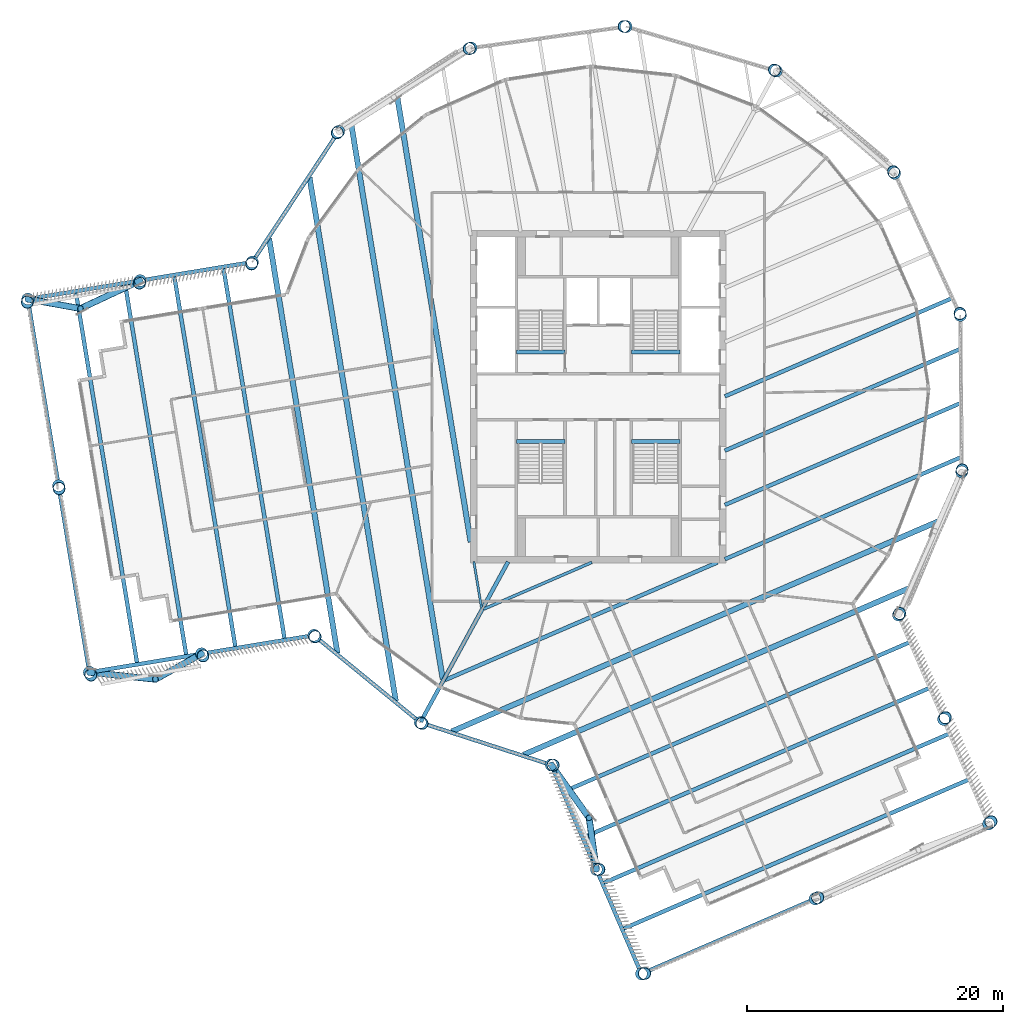
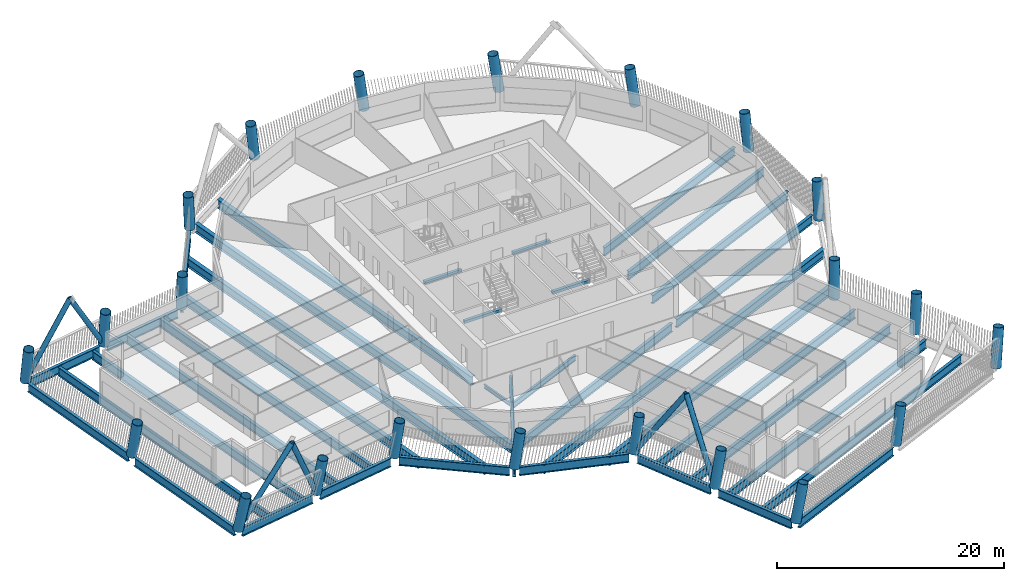
# One storey, part 1 of 23: 38 beams, 22 columns, 6 members.
"""IFC4 building model written with IfcOpenShell, lengths in metres."""

from ifc_helpers import new_model, si_unit, direction, frame, origin, origin_2d, place, context, subcontext, project, spatial, rectangle, hollow_circle, i_section, extrude, material, material_profile, profile_set, type_object, element, save


model = new_model("IFC4")

# Units and contexts
model_context = context("Model", 3, precision=1e-05, world=origin(), true_north=direction((0.0, 1.0)))
body_context = subcontext(model_context, "Body", "Model", "MODEL_VIEW")
ifc_project = project(units=[si_unit("LENGTHUNIT", "METRE"), si_unit("AREAUNIT", "SQUARE_METRE"), si_unit("VOLUMEUNIT", "CUBIC_METRE"), si_unit("PLANEANGLEUNIT", "RADIAN"), si_unit("MASSUNIT", "GRAM", prefix="KILO")], contexts=[model_context])

# Site, building, storey
site_placement = place(None, origin())
site = spatial("IfcSite", under=ifc_project, at=site_placement, CompositionType="ELEMENT")
building_placement = place(site_placement, origin())
building = spatial("IfcBuilding", under=site, at=building_placement, Name="Tarsis Ring Headquarters", CompositionType="ELEMENT")
storey_placement = place(building_placement, frame((0.0, 0.0, 323.60009765625)))
storey = spatial("IfcBuildingStorey", under=building, at=storey_placement, Name="L76", CompositionType="ELEMENT", Elevation=323.60009765625)

# Columns
ifc_material_1 = material(Name="Structural steel S355", Category="steel")
ifc_material_profile_1 = material_profile(ifc_material_1, hollow_circle(Radius=0.482666015625, WallThickness=0.0400390625, at=origin_2d()), Name="CHS 965x40")
ifc_profile_set_1 = profile_set([ifc_material_profile_1], Name="Structural steel S355")
column_type = type_object("IfcColumnType", Name="XC Exo column CHS 965x40", PredefinedType="COLUMN", material=ifc_profile_set_1)
for number, where, z_axis, x_axis, name in (
    (1, (-13.9228515625, -25.494384765625, 0.0009765625), (0.118123827288, -0.063189729994, 0.990986286207), (0.471694142598, 0.881762233167, 0.0), "Exo column XC7 F1"),
    (2, (-3.67578125, -28.81494140625, 0.0009765625), (0.133021406416, -0.015766419613, 0.990987752421), (0.117701562896, 0.993049012935, 0.0), "Exo column XC7 AK"),
):
    element("IfcColumn", number, at=place(storey_placement, frame(where, z_axis=z_axis, x_axis=x_axis)), inside=storey, type_object=column_type, Name=name, PredefinedType="COLUMN", context=body_context, shape_type="SweptSolid", body=[
        extrude(hollow_circle(Radius=0.482666015625, WallThickness=0.0400390625, at=origin_2d()), origin(), (0.0, 0.0, 1.0), 3.93310546875),
    ])
column_1_placement = place(storey_placement, frame((-0.14599609375, -36.987548828125, 0.001220703125), z_axis=(0.169642236267, 0.000864261757, 0.985505334702), x_axis=(-0.005094548151, 0.999987022705, 0.0)))
element("IfcColumn", 3, at=column_1_placement, inside=storey, type_object=column_type, Name="Exo column XC7 AI1", PredefinedType="COLUMN", context=body_context, shape_type="SweptSolid", body=[
    extrude(hollow_circle(Radius=0.482666015625, WallThickness=0.0400390625, at=origin_2d()), origin(), (0.0, 0.0, 1.0), 3.954833984375),
])
column_2_placement = place(storey_placement, frame((3.384033203125, -45.159912109375, 0.00146484375), z_axis=(0.205485565789, 0.017225967776, 0.978508532557), x_axis=(-0.083537530284, 0.996504631717, 0.0)))
element("IfcColumn", 4, at=column_2_placement, inside=storey, type_object=column_type, Name="Exo column XC7 AT1", PredefinedType="COLUMN", context=body_context, shape_type="SweptSolid", body=[
    extrude(hollow_circle(Radius=0.482666015625, WallThickness=0.0400390625, at=origin_2d()), origin(), (0.0, 0.0, 1.0), 3.982666015625),
])
column_3_placement = place(storey_placement, frame((16.970703125, -39.291748046875, 0.00146484375), z_axis=(0.178670447286, 0.079136016542, 0.980721347862), x_axis=(-0.404971220341, 0.914329432259, 0.0)))
element("IfcColumn", 5, at=column_3_placement, inside=storey, type_object=column_type, Name="Exo column XC7 AT2", PredefinedType="COLUMN", context=body_context, shape_type="SweptSolid", body=[
    extrude(hollow_circle(Radius=0.482666015625, WallThickness=0.0400390625, at=origin_2d()), origin(), (0.0, 0.0, 1.0), 3.9736328125),
])
column_4_placement = place(storey_placement, frame((30.5576171875, -33.42333984375, 0.00146484375), z_axis=(0.15092519505, 0.14056517963, 0.9785003913), x_axis=(-0.681544792531, 0.731776397388, 0.0)))
element("IfcColumn", 6, at=column_4_placement, inside=storey, type_object=column_type, Name="Exo column XC7 AT3", PredefinedType="COLUMN", context=body_context, shape_type="SweptSolid", body=[
    extrude(hollow_circle(Radius=0.482666015625, WallThickness=0.0400390625, at=origin_2d()), origin(), (0.0, 0.0, 1.0), 3.982666015625),
])
column_5_placement = place(storey_placement, frame((27.02783203125, -25.250732421875, 0.001220703125), z_axis=(0.114638722373, 0.125009915351, 0.985510266003), x_axis=(-0.737018155471, 0.675872945535, 0.0)))
element("IfcColumn", 7, at=column_5_placement, inside=storey, type_object=column_type, Name="Exo column XC7 AO1", PredefinedType="COLUMN", context=body_context, shape_type="SweptSolid", body=[
    extrude(hollow_circle(Radius=0.482666015625, WallThickness=0.0400390625, at=origin_2d()), origin(), (0.0, 0.0, 1.0), 3.954833984375),
])
for number, where, z_axis, x_axis, name in (
    (8, (23.497802734375, -17.078369140625, 0.0009765625), (0.077776324648, 0.109122728436, 0.990980864327), (-0.81432771012, 0.580405358806, 0.0), "Exo column XC7 AJ"),
    (9, (28.4482421875, -5.874267578125, 0.0009765625), (0.025946340183, 0.131407660687, 0.990988806266), (-0.981058966687, 0.19370932833, 0.0), "Exo column XC7 R1"),
    (10, (28.340576171875, 6.3740234375, 0.0009765625), (-0.030601734651, 0.130414289049, 0.990987208317), (-0.973556760052, -0.228445255929, 0.0), "Exo column XC7 R2"),
    (11, (23.19384765625, 17.489013671875, 0.0009765625), (-0.081686515655, 0.106266956537, 0.990976612796), (-0.792830531834, -0.609442161153, 0.0), "Exo column XC7 R3"),
    (12, (13.9228515625, 25.494384765625, 0.0009765625), (-0.118123827288, 0.063189729994, 0.990986286207), (-0.471694142598, -0.881762233167, 0.0), "Exo column XC7 R4"),
    (13, (2.176513671875, 28.966796875, 0.0009765625), (-0.133642489986, 0.008814321216, 0.99099040995), (-0.065811497644, -0.997832073436, 0.0), "Exo column XC7 R5"),
    (14, (-9.956787109375, 27.288818359375, 0.0009765625), (-0.125448066184, -0.047050783853, 0.990983857805), (0.351174212636, -0.936310136856, 0.0), "Exo column XC7 R6"),
    (15, (-20.31982421875, 20.7587890625, 0.0009765625), (-0.094846735573, -0.094598445689, 0.990986998312), (0.706179429226, -0.708032918541, 0.0), "Exo column XC7 R7"),
    (16, (-27.06982421875, 10.53759765625, 0.0009765625), (-0.047485422968, -0.125262200717, 0.990986637487), (0.935066386957, -0.354472639258, 0.0), "Exo column XC7 BJ"),
):
    element("IfcColumn", number, at=place(storey_placement, frame(where, z_axis=z_axis, x_axis=x_axis)), inside=storey, type_object=column_type, Name=name, PredefinedType="COLUMN", context=body_context, shape_type="SweptSolid", body=[
        extrude(hollow_circle(Radius=0.482666015625, WallThickness=0.0400390625, at=origin_2d()), origin(), (0.0, 0.0, 1.0), 3.93310546875),
    ])
column_6_placement = place(storey_placement, frame((-35.853515625, 9.089599609375, 0.001220703125), z_axis=(-0.040188503891, -0.164766692602, 0.985513480965), x_axis=(0.971518294947, -0.236964559764, 0.0)))
element("IfcColumn", 17, at=column_6_placement, inside=storey, type_object=column_type, Name="Exo column XC7 BO1", PredefinedType="COLUMN", context=body_context, shape_type="SweptSolid", body=[
    extrude(hollow_circle(Radius=0.482666015625, WallThickness=0.0400390625, at=origin_2d()), origin(), (0.0, 0.0, 1.0), 3.954833984375),
])
column_7_placement = place(storey_placement, frame((-44.63720703125, 7.641845703125, 0.00146484375), z_axis=(-0.032980454188, -0.203583807359, 0.978501876862), x_axis=(0.987130852297, -0.159914603594, 0.0)))
element("IfcColumn", 18, at=column_7_placement, inside=storey, type_object=column_type, Name="Exo column XC7 BT3", PredefinedType="COLUMN", context=body_context, shape_type="SweptSolid", body=[
    extrude(hollow_circle(Radius=0.482666015625, WallThickness=0.0400390625, at=origin_2d()), origin(), (0.0, 0.0, 1.0), 3.982666015625),
])
column_8_placement = place(storey_placement, frame((-42.230224609375, -6.961181640625, 0.00146484375), z_axis=(0.03354728783, -0.192436090631, 0.980735912722), x_axis=(0.985142417603, 0.171739386977, 0.0)))
element("IfcColumn", 19, at=column_8_placement, inside=storey, type_object=column_type, Name="Exo column XC7 BT2", PredefinedType="COLUMN", context=body_context, shape_type="SweptSolid", body=[
    extrude(hollow_circle(Radius=0.482666015625, WallThickness=0.0400390625, at=origin_2d()), origin(), (0.0, 0.0, 1.0), 3.9736328125),
])
column_9_placement = place(storey_placement, frame((-39.822998046875, -21.564208984375, 0.00146484375), z_axis=(0.099861566512, -0.180412885355, 0.978508486592), x_axis=(0.874913452046, 0.484279311377, 0.0)))
element("IfcColumn", 20, at=column_9_placement, inside=storey, type_object=column_type, Name="Exo column XC7 BT1", PredefinedType="COLUMN", context=body_context, shape_type="SweptSolid", body=[
    extrude(hollow_circle(Radius=0.482666015625, WallThickness=0.0400390625, at=origin_2d()), origin(), (0.0, 0.0, 1.0), 3.982666015625),
])
column_10_placement = place(storey_placement, frame((-31.039306640625, -20.1162109375, 0.001220703125), z_axis=(0.093526040925, -0.141492861914, 0.98551136457), x_axis=(0.834227688126, 0.551420134167, 0.0)))
element("IfcColumn", 21, at=column_10_placement, inside=storey, type_object=column_type, Name="Exo column XC7 BI1", PredefinedType="COLUMN", context=body_context, shape_type="SweptSolid", body=[
    extrude(hollow_circle(Radius=0.482666015625, WallThickness=0.0400390625, at=origin_2d()), origin(), (0.0, 0.0, 1.0), 3.954833984375),
])
column_11_placement = place(storey_placement, frame((-22.255615234375, -18.668212890625, 0.0009765625), z_axis=(0.087025415626, -0.101860704024, 0.990984850546), x_axis=(0.760302170557, 0.649569557051, 0.0)))
element("IfcColumn", 22, at=column_11_placement, inside=storey, type_object=column_type, Name="Exo column XC7 BK", PredefinedType="COLUMN", context=body_context, shape_type="SweptSolid", body=[
    extrude(hollow_circle(Radius=0.482666015625, WallThickness=0.0400390625, at=origin_2d()), origin(), (0.0, 0.0, 1.0), 3.93310546875),
])

# Beams
ifc_material_profile_2 = material_profile(ifc_material_1, i_section(OverallWidth=0.177734375, OverallDepth=0.406494140625, WebThickness=0.0078125, FlangeThickness=0.0126953125, at=origin_2d()), Name="W16x40")
ifc_profile_set_2 = profile_set([ifc_material_profile_2], Name="Structural steel S355")
beam_type_1 = type_object("IfcBeamType", Name="FB Floor beam W16x40", PredefinedType="JOIST", material=ifc_profile_set_2)
beam_1_placement = place(storey_placement, frame((-9.7314453125, -12.9013671875, -0.36328125), z_axis=(0.162686626676, -0.986677790112, 0.0), x_axis=(0.986677790112, 0.162686626676, 0.0)))
element("IfcBeam", 23, at=beam_1_placement, inside=storey, type_object=beam_type_1, Name="Floor beam FB1", PredefinedType="JOIST", context=body_context, shape_type="SweptSolid", body=[
    extrude(i_section(OverallWidth=0.177734375, OverallDepth=0.406494140625, WebThickness=0.0078125, FlangeThickness=0.0126953125, at=origin_2d()), origin(), (0.0, 0.0, 1.0), 3.6767578125),
])
ifc_material_profile_3 = material_profile(ifc_material_1, i_section(OverallWidth=0.228271484375, OverallDepth=0.607177734375, WebThickness=0.01123046875, FlangeThickness=0.017333984375, at=origin_2d()), Name="W24x76")
ifc_profile_set_3 = profile_set([ifc_material_profile_3], Name="Structural steel S355")
beam_type_2 = type_object("IfcBeamType", Name="FB Floor beam W24x76", PredefinedType="JOIST", material=ifc_profile_set_3)
beam_2_placement = place(storey_placement, frame((-8.969482421875, -16.61865234375, -0.463623046875), z_axis=(0.918038275434, 0.396491771462, 0.0), x_axis=(-0.396491771462, 0.918038275434, 0.0)))
element("IfcBeam", 24, at=beam_2_placement, inside=storey, type_object=beam_type_2, Name="Floor beam FB4", PredefinedType="JOIST", context=body_context, shape_type="SweptSolid", body=[
    extrude(i_section(OverallWidth=0.228271484375, OverallDepth=0.607177734375, WebThickness=0.01123046875, FlangeThickness=0.017333984375, at=origin_2d()), origin(), (0.0, 0.0, 1.0), 9.226318359375),
])
ifc_material_profile_4 = material_profile(ifc_material_1, i_section(OverallWidth=0.3046875, OverallDepth=0.904296875, WebThickness=0.01513671875, FlangeThickness=0.02001953125, at=origin_2d()), Name="W36x135")
ifc_profile_set_4 = profile_set([ifc_material_profile_4], Name="Structural steel S355")
beam_type_3 = type_object("IfcBeamType", Name="FB Floor beam W36x135", PredefinedType="JOIST", material=ifc_profile_set_4)
beam_3_placement = place(storey_placement, frame((9.908203125, 0.03125, -0.6123046875), z_axis=(0.918029567944, 0.396511932204, 0.0), x_axis=(-0.396511932204, 0.918029567944, 0.0)))
element("IfcBeam", 25, at=beam_3_placement, inside=storey, type_object=beam_type_3, Name="Floor beam FB8", PredefinedType="JOIST", context=body_context, shape_type="SweptSolid", body=[
    extrude(i_section(OverallWidth=0.3046875, OverallDepth=0.904296875, WebThickness=0.01513671875, FlangeThickness=0.02001953125, at=origin_2d()), origin(), (0.0, 0.0, 1.0), 19.3427734375),
])
beam_4_placement = place(storey_placement, frame((9.908203125, -4.217041015625, -0.6123046875), z_axis=(0.918030801609, 0.396509075933, 0.0), x_axis=(-0.396509075933, 0.918030801609, 0.0)))
element("IfcBeam", 26, at=beam_4_placement, inside=storey, type_object=beam_type_3, Name="Floor beam FB8", PredefinedType="JOIST", context=body_context, shape_type="SweptSolid", body=[
    extrude(i_section(OverallWidth=0.3046875, OverallDepth=0.904296875, WebThickness=0.01513671875, FlangeThickness=0.02001953125, at=origin_2d()), origin(), (0.0, 0.0, 1.0), 20.03515625),
])
beam_5_placement = place(storey_placement, frame((9.908203125, -8.465087890625, -0.6123046875), z_axis=(0.918035594019, 0.396497979963, 0.0), x_axis=(-0.396497979963, 0.918035594019, 0.0)))
element("IfcBeam", 27, at=beam_5_placement, inside=storey, type_object=beam_type_3, Name="Floor beam FB8", PredefinedType="JOIST", context=body_context, shape_type="SweptSolid", body=[
    extrude(i_section(OverallWidth=0.3046875, OverallDepth=0.904296875, WebThickness=0.01513671875, FlangeThickness=0.02001953125, at=origin_2d()), origin(), (0.0, 0.0, 1.0), 20.07568359375),
])
beam_6_placement = place(storey_placement, frame((9.908203125, -12.71337890625, -0.6123046875), z_axis=(0.91803404135, 0.396501574931, 0.0), x_axis=(-0.396501574931, 0.91803404135, 0.0)))
element("IfcBeam", 28, at=beam_6_placement, inside=storey, type_object=beam_type_3, Name="Floor beam FB8", PredefinedType="JOIST", context=body_context, shape_type="SweptSolid", body=[
    extrude(i_section(OverallWidth=0.3046875, OverallDepth=0.904296875, WebThickness=0.01513671875, FlangeThickness=0.02001953125, at=origin_2d()), origin(), (0.0, 0.0, 1.0), 20.1162109375),
])
ifc_material_profile_5 = material_profile(ifc_material_1, i_section(OverallWidth=0.3046875, OverallDepth=0.91943359375, WebThickness=0.017333984375, FlangeThickness=0.02783203125, at=origin_2d()), Name="W36x170")
ifc_profile_set_5 = profile_set([ifc_material_profile_5], Name="Structural steel S355")
beam_type_4 = type_object("IfcBeamType", Name="FB Floor beam W36x170", PredefinedType="JOIST", material=ifc_profile_set_5)
beam_7_placement = place(storey_placement, frame((-12.005615234375, -22.17822265625, -0.619873046875), z_axis=(0.918032729323, 0.396504612699, 0.0), x_axis=(-0.396504612699, 0.918032729323, 0.0)))
element("IfcBeam", 29, at=beam_7_placement, inside=storey, type_object=beam_type_4, Name="Floor beam FB9", PredefinedType="JOIST", context=body_context, shape_type="SweptSolid", body=[
    extrude(i_section(OverallWidth=0.3046875, OverallDepth=0.91943359375, WebThickness=0.017333984375, FlangeThickness=0.02783203125, at=origin_2d()), origin(), (0.0, 0.0, 1.0), 23.24755859375),
])
ifc_material_profile_6 = material_profile(ifc_material_1, i_section(OverallWidth=0.309814453125, OverallDepth=0.949951171875, WebThickness=0.0244140625, FlangeThickness=0.0439453125, at=origin_2d()), Name="W36x256")
ifc_profile_set_6 = profile_set([ifc_material_profile_6], Name="Structural steel S355")
beam_type_5 = type_object("IfcBeamType", Name="FB Floor beam W36x256", PredefinedType="JOIST", material=ifc_profile_set_6)
for number, where, z_axis, x_axis, name in (
    (30, (-2.711669921875, -30.90869140625, -0.635009765625), (0.918033178917, 0.396503571747, 0.0), (-0.396503571747, 0.918033178917, 0.0), "Floor beam FB11"),
    (31, (-1.165283203125, -34.489013671875, -0.635009765625), (0.918033178917, 0.396503571747, 0.0), (-0.396503571747, 0.918033178917, 0.0), "Floor beam FB11"),
):
    element("IfcBeam", number, at=place(storey_placement, frame(where, z_axis=z_axis, x_axis=x_axis)), inside=storey, type_object=beam_type_5, Name=name, PredefinedType="JOIST", context=body_context, shape_type="SweptSolid", body=[
        extrude(i_section(OverallWidth=0.309814453125, OverallDepth=0.949951171875, WebThickness=0.0244140625, FlangeThickness=0.0439453125, at=origin_2d()), origin(), (0.0, 0.0, 1.0), 29.489990234375),
    ])
for number, where, z_axis, x_axis, name in (
    (32, (0.380859375, -38.0693359375, -0.635009765625), (0.91803448045, 0.396500558266, 0.0), (-0.396500558266, 0.91803448045, 0.0), "Floor beam FB11"),
    (33, (1.92724609375, -41.649658203125, -0.635009765625), (0.91803448045, 0.396500558266, 0.0), (-0.396500558266, 0.91803448045, 0.0), "Floor beam FB11"),
):
    element("IfcBeam", number, at=place(storey_placement, frame(where, z_axis=z_axis, x_axis=x_axis)), inside=storey, type_object=beam_type_5, Name=name, PredefinedType="JOIST", context=body_context, shape_type="SweptSolid", body=[
        extrude(i_section(OverallWidth=0.309814453125, OverallDepth=0.949951171875, WebThickness=0.0244140625, FlangeThickness=0.0439453125, at=origin_2d()), origin(), (0.0, 0.0, 1.0), 29.490234375),
    ])
for number, where, z_axis, x_axis, name in (
    (34, (-29.334716796875, 10.108642578125, -0.635009765625), (0.162644082293, -0.986684804026, 0.0), (0.986684804026, 0.162644082293, 0.0), "Floor beam FB11"),
    (35, (-33.1826171875, 9.474365234375, -0.635009765625), (0.162636022537, -0.986686132553, 0.0), (0.986686132553, 0.162636022537, 0.0), "Floor beam FB11"),
    (36, (-37.03076171875, 8.840087890625, -0.635009765625), (0.162636022537, -0.986686132553, 0.0), (0.986686132553, 0.162636022537, 0.0), "Floor beam FB11"),
    (37, (-40.87890625, 8.205810546875, -0.635009765625), (0.162636022537, -0.986686132553, 0.0), (0.986686132553, 0.162636022537, 0.0), "Floor beam FB11"),
):
    element("IfcBeam", number, at=place(storey_placement, frame(where, z_axis=z_axis, x_axis=x_axis)), inside=storey, type_object=beam_type_5, Name=name, PredefinedType="JOIST", context=body_context, shape_type="SweptSolid", body=[
        extrude(i_section(OverallWidth=0.309814453125, OverallDepth=0.949951171875, WebThickness=0.0244140625, FlangeThickness=0.0439453125, at=origin_2d()), origin(), (0.0, 0.0, 1.0), 29.489990234375),
    ])
beam_type_6 = type_object("IfcBeamType", Name="FB Floor beam W36x256 spine", PredefinedType="BEAM", material=ifc_profile_set_6)
beam_8_placement = place(storey_placement, frame((-7.0517578125, -12.912353515625, -0.635009765625), z_axis=(-0.479304904723, -0.877648453715, 0.0), x_axis=(0.877648453715, -0.479304904723, 0.0)))
element("IfcBeam", 38, at=beam_8_placement, inside=storey, type_object=beam_type_6, Name="Floor beam SB11", PredefinedType="BEAM", context=body_context, shape_type="SweptSolid", body=[
    extrude(i_section(OverallWidth=0.309814453125, OverallDepth=0.949951171875, WebThickness=0.0244140625, FlangeThickness=0.0439453125, at=origin_2d()), origin(), (0.0, 0.0, 1.0), 14.278564453125),
])
ifc_material_profile_7 = material_profile(ifc_material_1, i_section(OverallWidth=0.42431640625, OverallDepth=0.947509765625, WebThickness=0.02392578125, FlangeThickness=0.042724609375, at=origin_2d()), Name="W36x302")
ifc_profile_set_7 = profile_set([ifc_material_profile_7], Name="Structural steel S355")
beam_type_7 = type_object("IfcBeamType", Name="FB Floor beam W36x302", PredefinedType="JOIST", material=ifc_profile_set_7)
beam_9_placement = place(storey_placement, frame((-11.470947265625, -26.195556640625, -0.6337890625), z_axis=(0.918030446988, 0.39650989698, 0.0), x_axis=(-0.39650989698, 0.918030446988, 0.0)))
element("IfcBeam", 39, at=beam_9_placement, inside=storey, type_object=beam_type_7, Name="Floor beam FB12", PredefinedType="JOIST", context=body_context, shape_type="SweptSolid", body=[
    extrude(i_section(OverallWidth=0.42431640625, OverallDepth=0.947509765625, WebThickness=0.02392578125, FlangeThickness=0.042724609375, at=origin_2d()), origin(), (0.0, 0.0, 1.0), 41.52392578125),
])
beam_10_placement = place(storey_placement, frame((-5.851318359375, -28.0166015625, -0.6337890625), z_axis=(0.918030899888, 0.396508848388, 0.0), x_axis=(-0.396508848388, 0.918030899888, 0.0)))
element("IfcBeam", 40, at=beam_10_placement, inside=storey, type_object=beam_type_7, Name="Floor beam FB12", PredefinedType="JOIST", context=body_context, shape_type="SweptSolid", body=[
    extrude(i_section(OverallWidth=0.42431640625, OverallDepth=0.947509765625, WebThickness=0.02392578125, FlangeThickness=0.042724609375, at=origin_2d()), origin(), (0.0, 0.0, 1.0), 32.87548828125),
])
beam_11_placement = place(storey_placement, frame((-15.74267578125, 23.568603515625, -0.6337890625), z_axis=(0.162637795574, -0.986685840301, 0.0), x_axis=(0.986685840301, 0.162637795574, 0.0)))
element("IfcBeam", 41, at=beam_11_placement, inside=storey, type_object=beam_type_7, Name="Floor beam FB12", PredefinedType="JOIST", context=body_context, shape_type="SweptSolid", body=[
    extrude(i_section(OverallWidth=0.42431640625, OverallDepth=0.947509765625, WebThickness=0.02392578125, FlangeThickness=0.042724609375, at=origin_2d()), origin(), (0.0, 0.0, 1.0), 35.41015625),
])
beam_12_placement = place(storey_placement, frame((-19.323486328125, 21.312255859375, -0.6337890625), z_axis=(0.162636413171, -0.986686068165, 0.0), x_axis=(0.986686068165, 0.162636413171, 0.0)))
element("IfcBeam", 42, at=beam_12_placement, inside=storey, type_object=beam_type_7, Name="Floor beam FB12", PredefinedType="JOIST", context=body_context, shape_type="SweptSolid", body=[
    extrude(i_section(OverallWidth=0.42431640625, OverallDepth=0.947509765625, WebThickness=0.02392578125, FlangeThickness=0.042724609375, at=origin_2d()), origin(), (0.0, 0.0, 1.0), 43.986572265625),
])
beam_13_placement = place(storey_placement, frame((-22.591796875, 17.16064453125, -0.6337890625), z_axis=(0.162639633263, -0.986685537389, 0.0), x_axis=(0.986685537389, 0.162639633263, 0.0)))
element("IfcBeam", 43, at=beam_13_placement, inside=storey, type_object=beam_type_7, Name="Floor beam FB12", PredefinedType="JOIST", context=body_context, shape_type="SweptSolid", body=[
    extrude(i_section(OverallWidth=0.42431640625, OverallDepth=0.947509765625, WebThickness=0.02392578125, FlangeThickness=0.042724609375, at=origin_2d()), origin(), (0.0, 0.0, 1.0), 41.52392578125),
])
beam_14_placement = place(storey_placement, frame((-25.7548828125, 12.370849609375, -0.6337890625), z_axis=(0.162635684044, -0.986686188347, 0.0), x_axis=(0.986686188347, 0.162635684044, 0.0)))
element("IfcBeam", 44, at=beam_14_placement, inside=storey, type_object=beam_type_7, Name="Floor beam FB12", PredefinedType="JOIST", context=body_context, shape_type="SweptSolid", body=[
    extrude(i_section(OverallWidth=0.42431640625, OverallDepth=0.947509765625, WebThickness=0.02392578125, FlangeThickness=0.042724609375, at=origin_2d()), origin(), (0.0, 0.0, 1.0), 32.875244140625),
])
ifc_material_2 = material(Name="Concrete C40/50", Category="concrete")
ifc_material_profile_8 = material_profile(ifc_material_2, rectangle(XDim=0.300048828125, YDim=0.300048828125, at=origin_2d()), Name="Stair head beam 300x300 C40/50")
ifc_profile_set_8 = profile_set([ifc_material_profile_8], Name="Concrete C40/50")
beam_type_8 = type_object("IfcBeamType", Name="Stair head beam 300x300 C40/50", PredefinedType="BEAM", material=ifc_profile_set_8)
for number, where, z_axis, x_axis, name in (
    (45, (-6.39990234375, 3.510009765625, -0.31005859375), (1.0, 0.0, 0.0), (0.0, 1.0, 0.0), "Stair head beam L76 Firefighting stair"),
    (46, (2.60009765625, 3.510009765625, -0.31005859375), (1.0, 0.0, 0.0), (0.0, 1.0, 0.0), "Stair head beam L76 Exit stair B"),
    (47, (-6.39990234375, -3.510009765625, -0.31005859375), (1.0, 0.0, 0.0), (0.0, 1.0, 0.0), "Stair head beam L76 Exit stair C"),
    (48, (2.60009765625, -3.510009765625, -0.31005859375), (1.0, 0.0, 0.0), (0.0, 1.0, 0.0), "Stair head beam L76 Exit stair D"),
):
    element("IfcBeam", number, at=place(storey_placement, frame(where, z_axis=z_axis, x_axis=x_axis)), inside=storey, type_object=beam_type_8, Name=name, PredefinedType="BEAM", context=body_context, shape_type="SweptSolid", body=[
        extrude(rectangle(XDim=0.300048828125, YDim=0.300048828125, at=origin_2d()), origin(), (0.0, 0.0, 1.0), 3.7998046875),
    ])

# Members
ifc_material_profile_9 = material_profile(ifc_material_1, hollow_circle(Radius=0.25390625, WallThickness=0.02001953125, at=origin_2d()), Name="CHS 508x20")
ifc_profile_set_9 = profile_set([ifc_material_profile_9], Name="Structural steel S355")
member_type = type_object("IfcMemberType", Name="XD X brace CHS 508x20", PredefinedType="BRACE", material=ifc_profile_set_9)
member_1_placement = place(storey_placement, frame((-3.676025390625, -28.81494140625, 0.0), z_axis=(0.317957811659, -0.444002937887, 0.83771368686), x_axis=(0.813028878508, 0.58222336153, 0.0)))
element("IfcMember", 49, at=member_1_placement, inside=storey, type_object=member_type, Name="X brace XD2", PredefinedType="BRACE", context=body_context, shape_type="SweptSolid", body=[
    extrude(hollow_circle(Radius=0.25390625, WallThickness=0.02001953125, at=origin_2d()), origin(), (0.0, 0.0, 1.0), 9.310791015625),
])
member_2_placement = place(storey_placement, frame((-0.146240234375, -36.987548828125, 0.0), z_axis=(-0.0646842456, 0.458836531184, 0.886163069656), x_axis=(-0.990208798703, -0.139594179578, 0.0)))
element("IfcMember", 50, at=member_2_placement, inside=storey, type_object=member_type, Name="X brace XD2", PredefinedType="BRACE", context=body_context, shape_type="SweptSolid", body=[
    extrude(hollow_circle(Radius=0.25390625, WallThickness=0.02001953125, at=origin_2d()), origin(), (0.0, 0.0, 1.0), 8.8017578125),
])
member_3_placement = place(storey_placement, frame((-35.853515625, 9.08984375, 0.0), z_axis=(-0.499325747617, -0.234205812389, 0.83415911864), x_axis=(0.424652187635, -0.905356570383, 0.0)))
element("IfcMember", 51, at=member_3_placement, inside=storey, type_object=member_type, Name="X brace XD2", PredefinedType="BRACE", context=body_context, shape_type="SweptSolid", body=[
    extrude(hollow_circle(Radius=0.25390625, WallThickness=0.02001953125, at=origin_2d()), origin(), (0.0, 0.0, 1.0), 9.3505859375),
])
member_4_placement = place(storey_placement, frame((-44.63720703125, 7.64208984375, 0.0), z_axis=(0.464953655469, -0.083864905223, 0.881353944757), x_axis=(0.177508173253, 0.984119326316, 0.0)))
element("IfcMember", 52, at=member_4_placement, inside=storey, type_object=member_type, Name="X brace XD2", PredefinedType="BRACE", context=body_context, shape_type="SweptSolid", body=[
    extrude(hollow_circle(Radius=0.25390625, WallThickness=0.02001953125, at=origin_2d()), origin(), (0.0, 0.0, 1.0), 8.849853515625),
])
member_5_placement = place(storey_placement, frame((-39.8232421875, -21.563720703125, 0.0), z_axis=(0.551663314199, -0.058491989033, 0.832013386302), x_axis=(0.105437410371, 0.994425941181, 0.0)))
element("IfcMember", 53, at=member_5_placement, inside=storey, type_object=member_type, Name="X brace XD2", PredefinedType="BRACE", context=body_context, shape_type="SweptSolid", body=[
    extrude(hollow_circle(Radius=0.25390625, WallThickness=0.02001953125, at=origin_2d()), origin(), (0.0, 0.0, 1.0), 9.37451171875),
])
member_6_placement = place(storey_placement, frame((-31.039306640625, -20.115966796875, 0.0), z_axis=(-0.409354001763, -0.226201562477, 0.883890352008), x_axis=(0.48365272083, -0.875259987451, 0.0)))
element("IfcMember", 54, at=member_6_placement, inside=storey, type_object=member_type, Name="X brace XD2", PredefinedType="BRACE", context=body_context, shape_type="SweptSolid", body=[
    extrude(hollow_circle(Radius=0.25390625, WallThickness=0.02001953125, at=origin_2d()), origin(), (0.0, 0.0, 1.0), 8.824462890625),
])

# Beams
ifc_material_profile_10 = material_profile(ifc_material_1, i_section(OverallWidth=0.309814453125, OverallDepth=0.93212890625, WebThickness=0.02099609375, FlangeThickness=0.034423828125, at=origin_2d()), Name="W36x210")
ifc_profile_set_10 = profile_set([ifc_material_profile_10], Name="Structural steel S355")
beam_type_9 = type_object("IfcBeamType", Name="XG Ring girder W36x210", PredefinedType="BEAM", material=ifc_profile_set_10)
beam_15_placement = place(storey_placement, frame((-13.510009765625, -25.628173828125, -0.46630859375), z_axis=(0.951295332949, -0.308281023596, 0.0), x_axis=(0.308281023596, 0.951295332949, 0.0)))
element("IfcBeam", 55, at=beam_15_placement, inside=storey, type_object=beam_type_9, Name="Ring girder XG3", PredefinedType="BEAM", context=body_context, shape_type="SweptSolid", body=[
    extrude(i_section(OverallWidth=0.309814453125, OverallDepth=0.93212890625, WebThickness=0.02099609375, FlangeThickness=0.034423828125, at=origin_2d()), origin(), (0.0, 0.0, 1.0), 9.9033203125),
])
beam_16_placement = place(storey_placement, frame((-3.503662109375, -29.213623046875, -0.46630859375), z_axis=(0.396492481639, -0.918037968716, 0.0), x_axis=(0.918037968716, 0.396492481639, 0.0)))
element("IfcBeam", 56, at=beam_16_placement, inside=storey, type_object=beam_type_9, Name="Ring girder XG3", PredefinedType="BEAM", context=body_context, shape_type="SweptSolid", body=[
    extrude(i_section(OverallWidth=0.309814453125, OverallDepth=0.93212890625, WebThickness=0.02099609375, FlangeThickness=0.034423828125, at=origin_2d()), origin(), (0.0, 0.0, 1.0), 8.03369140625),
])
beam_17_placement = place(storey_placement, frame((0.026123046875, -37.38623046875, -0.46630859375), z_axis=(0.396503543568, -0.918033191087, 0.0), x_axis=(0.918033191087, 0.396503543568, 0.0)))
element("IfcBeam", 57, at=beam_17_placement, inside=storey, type_object=beam_type_9, Name="Ring girder XG3", PredefinedType="BEAM", context=body_context, shape_type="SweptSolid", body=[
    extrude(i_section(OverallWidth=0.309814453125, OverallDepth=0.93212890625, WebThickness=0.02099609375, FlangeThickness=0.034423828125, at=origin_2d()), origin(), (0.0, 0.0, 1.0), 8.033447265625),
])
beam_18_placement = place(storey_placement, frame((3.782470703125, -44.98779296875, -0.46630859375), z_axis=(0.91802915494, 0.396512888416, 0.0), x_axis=(-0.396512888416, 0.91802915494, 0.0)))
element("IfcBeam", 58, at=beam_18_placement, inside=storey, type_object=beam_type_9, Name="Ring girder XG3", PredefinedType="BEAM", context=body_context, shape_type="SweptSolid", body=[
    extrude(i_section(OverallWidth=0.309814453125, OverallDepth=0.93212890625, WebThickness=0.02099609375, FlangeThickness=0.034423828125, at=origin_2d()), origin(), (0.0, 0.0, 1.0), 13.93115234375),
])
beam_19_placement = place(storey_placement, frame((-20.55908203125, 20.396484375, -0.46630859375), z_axis=(-0.55106604446, -0.834461631618, 0.0), x_axis=(0.834461631618, -0.55106604446, 0.0)))
element("IfcBeam", 59, at=beam_19_placement, inside=storey, type_object=beam_type_9, Name="Ring girder XG3", PredefinedType="BEAM", context=body_context, shape_type="SweptSolid", body=[
    extrude(i_section(OverallWidth=0.309814453125, OverallDepth=0.93212890625, WebThickness=0.02099609375, FlangeThickness=0.034423828125, at=origin_2d()), origin(), (0.0, 0.0, 1.0), 11.380126953125),
])
beam_20_placement = place(storey_placement, frame((-27.498291015625, 10.467041015625, -0.46630859375), z_axis=(-0.986688832301, -0.162619642765, 0.0), x_axis=(0.162619642765, -0.986688832301, 0.0)))
element("IfcBeam", 60, at=beam_20_placement, inside=storey, type_object=beam_type_9, Name="Ring girder XG3", PredefinedType="BEAM", context=body_context, shape_type="SweptSolid", body=[
    extrude(i_section(OverallWidth=0.309814453125, OverallDepth=0.93212890625, WebThickness=0.02099609375, FlangeThickness=0.034423828125, at=origin_2d()), origin(), (0.0, 0.0, 1.0), 8.033447265625),
])
beam_21_placement = place(storey_placement, frame((-36.281982421875, 9.019287109375, -0.46630859375), z_axis=(-0.986684759506, -0.162644352374, 0.0), x_axis=(0.162644352374, -0.986684759506, 0.0)))
element("IfcBeam", 61, at=beam_21_placement, inside=storey, type_object=beam_type_9, Name="Ring girder XG3", PredefinedType="BEAM", context=body_context, shape_type="SweptSolid", body=[
    extrude(i_section(OverallWidth=0.309814453125, OverallDepth=0.93212890625, WebThickness=0.02099609375, FlangeThickness=0.034423828125, at=origin_2d()), origin(), (0.0, 0.0, 1.0), 8.03369140625),
])
for number, where, z_axis, x_axis, name in (
    (62, (-44.566650390625, 7.213623046875, -0.46630859375), (0.162645325545, -0.986684599089, 0.0), (0.986684599089, 0.162645325545, 0.0), "Ring girder XG3"),
    (63, (-42.159423828125, -7.389404296875, -0.46630859375), (0.16262826451, -0.986687411282, 0.0), (0.986687411282, 0.16262826451, 0.0), "Ring girder XG3"),
):
    element("IfcBeam", number, at=place(storey_placement, frame(where, z_axis=z_axis, x_axis=x_axis)), inside=storey, type_object=beam_type_9, Name=name, PredefinedType="BEAM", context=body_context, shape_type="SweptSolid", body=[
        extrude(i_section(OverallWidth=0.309814453125, OverallDepth=0.93212890625, WebThickness=0.02099609375, FlangeThickness=0.034423828125, at=origin_2d()), origin(), (0.0, 0.0, 1.0), 13.931396484375),
    ])
for number, where, z_axis, x_axis, name in (
    (64, (-39.39453125, -21.4931640625, -0.46630859375), (0.986683955572, 0.162649229378, 0.0), (-0.162649229378, 0.986683955572, 0.0), "Ring girder XG3"),
    (65, (-30.61083984375, -20.04541015625, -0.46630859375), (0.986683955572, 0.162649229378, 0.0), (-0.162649229378, 0.986683955572, 0.0), "Ring girder XG3"),
):
    element("IfcBeam", number, at=place(storey_placement, frame(where, z_axis=z_axis, x_axis=x_axis)), inside=storey, type_object=beam_type_9, Name=name, PredefinedType="BEAM", context=body_context, shape_type="SweptSolid", body=[
        extrude(i_section(OverallWidth=0.309814453125, OverallDepth=0.93212890625, WebThickness=0.02099609375, FlangeThickness=0.034423828125, at=origin_2d()), origin(), (0.0, 0.0, 1.0), 8.033447265625),
    ])
beam_22_placement = place(storey_placement, frame((-21.919677734375, -18.943359375, -0.46630859375), z_axis=(0.773557329304, -0.633726327589, 0.0), x_axis=(0.633726327589, 0.773557329304, 0.0)))
element("IfcBeam", 66, at=beam_22_placement, inside=storey, type_object=beam_type_9, Name="Ring girder XG3", PredefinedType="BEAM", context=body_context, shape_type="SweptSolid", body=[
    extrude(i_section(OverallWidth=0.309814453125, OverallDepth=0.93212890625, WebThickness=0.02099609375, FlangeThickness=0.034423828125, at=origin_2d()), origin(), (0.0, 0.0, 1.0), 9.903076171875),
])

save(model, "model.ifc")
